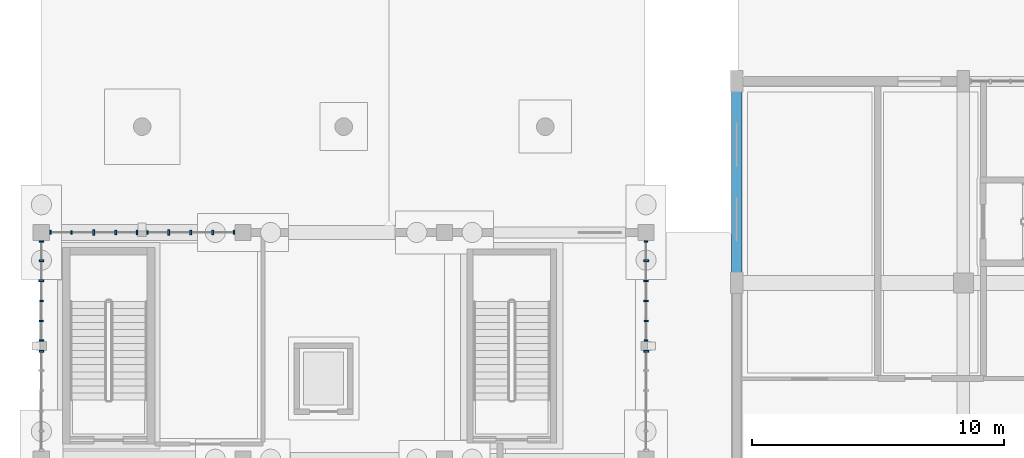
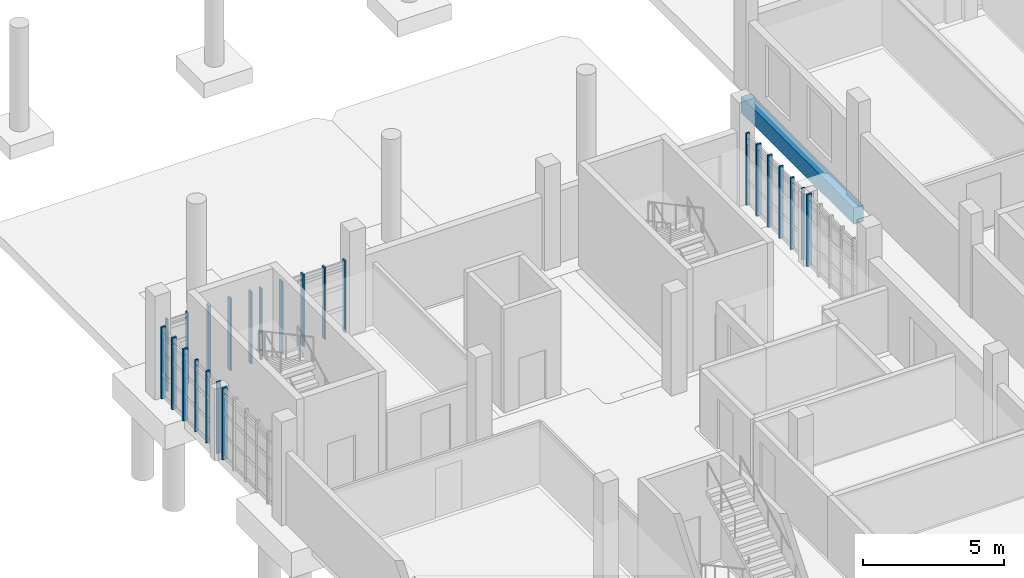
# One storey, part 16 of 63: 24 members, 1 beam, 6 elements without a shape of their own.
"""IFC4 building model written with IfcOpenShell, lengths in metres."""

from ifc_helpers import new_model, si_unit, direction, frame, origin, origin_2d, place, context, subcontext, project, spatial, rectangle, extrude, material, material_profile, profile_set, type_object, element, aggregate, save


model = new_model("IFC4")

# Units and contexts
model_context = context("Model", 3, precision=1e-05, world=origin(), true_north=direction((0.0, 1.0)))
body_context = subcontext(model_context, "Body", "Model", "MODEL_VIEW")
ifc_project = project(units=[si_unit("LENGTHUNIT", "METRE"), si_unit("AREAUNIT", "SQUARE_METRE"), si_unit("VOLUMEUNIT", "CUBIC_METRE"), si_unit("PLANEANGLEUNIT", "RADIAN"), si_unit("MASSUNIT", "GRAM", prefix="KILO")], contexts=[model_context])

# Site, building, storey
site_placement = place(None, origin())
site = spatial("IfcSite", under=ifc_project, at=site_placement, CompositionType="ELEMENT")
building_placement = place(site_placement, origin())
building = spatial("IfcBuilding", under=site, at=building_placement, Name="Serraforn Aerial Cableway Station", CompositionType="ELEMENT")
storey_placement = place(building_placement, origin())
storey = spatial("IfcBuildingStorey", under=building, at=storey_placement, Name="L00", CompositionType="ELEMENT", Elevation=0.0)

# Beam
ifc_material_1 = material(Name="Concrete C35/45", Category="concrete")
ifc_material_profile_1 = material_profile(ifc_material_1, rectangle(XDim=0.39990234375, YDim=0.699951171875, at=origin_2d()), Name="RC 400x700")
ifc_profile_set_1 = profile_set([ifc_material_profile_1], Name="Concrete C35/45")
beam_type = type_object("IfcBeamType", Name="BM-RC-400x700E", PredefinedType="SPANDREL", material=ifc_profile_set_1)
beam_placement = place(storey_placement, frame((27.60009765625, 34.0, -0.7099609375), z_axis=(0.0, 1.0, 0.0), x_axis=(-1.0, 0.0, 0.0)))
element("IfcBeam", 1, at=beam_placement, inside=storey, type_object=beam_type, Name="Grid Girder Y CV L00 X1-3", PredefinedType="SPANDREL", context=body_context, shape_type="SweptSolid", body=[
    extrude(rectangle(XDim=0.39990234375, YDim=0.699951171875, at=origin_2d()), origin(), (0.0, 0.0, 1.0), 8.0),
])

# Curtain wall, member
ifc_material_2 = material(Name="Anodised bronze unitised curtain wall")
curtain_wall_type_1 = type_object("IfcCurtainWallType", Name="CW-SYS-1", PredefinedType="USERDEFINED", material=ifc_material_2)
curtain_wall_1_placement = place(storey_placement, origin())
curtain_wall_1 = element("IfcCurtainWall", 2, at=curtain_wall_1_placement, inside=storey, type_object=curtain_wall_type_1, Name="Unitised Curtain Wall CW-W-L00-N1A", ObjectType="UNITISED CURTAIN WALL", PredefinedType="USERDEFINED")
ifc_material_3 = material(Name="Anodised bronze extruded aluminium", Category="aluminium")
ifc_material_profile_2 = material_profile(ifc_material_3, rectangle(XDim=0.054931640625, YDim=0.139892578125, at=origin_2d()), Name="CW MULLION 55x140")
ifc_profile_set_2 = profile_set([ifc_material_profile_2], Name="Anodised bronze extruded aluminium")
member_type_1 = type_object("IfcMemberType", Name="CW-MUL-1", PredefinedType="MULLION", material=ifc_profile_set_2)
member_1_placement = place(storey_placement, frame((4.20751953125, 36.0, 0.0), z_axis=(0.0, 0.0, 1.0), x_axis=(-1.0, 0.0, 0.0)))
member_1 = element("IfcMember", 3, at=member_1_placement, type_object=member_type_1, Name="Curtain Wall Mullion CW-W-L00-N1A-M5", PredefinedType="MULLION", context=body_context, shape_type="SweptSolid", body=[
    extrude(rectangle(XDim=0.054931640625, YDim=0.139892578125, at=origin_2d()), origin(), (0.0, 0.0, 1.0), 3.1201171875),
])

curtain_wall_type_2 = type_object("IfcCurtainWallType", Name="CW-SYS-2", PredefinedType="USERDEFINED", material=ifc_material_2)
curtain_wall_2_placement = place(storey_placement, origin())
curtain_wall_2 = element("IfcCurtainWall", 4, at=curtain_wall_2_placement, inside=storey, type_object=curtain_wall_type_2, Name="Unitised Curtain Wall CW-W-L00-N1B", ObjectType="UNITISED CURTAIN WALL", PredefinedType="USERDEFINED")
member_2_placement = place(storey_placement, frame((1.197265625, 36.0, 0.0), z_axis=(0.0, 0.0, 1.0), x_axis=(-1.0, 0.0, 0.0)))
member_2 = element("IfcMember", 5, at=member_2_placement, type_object=member_type_1, Name="Curtain Wall Mullion CW-W-L00-N1B-M4", PredefinedType="MULLION", context=body_context, shape_type="SweptSolid", body=[
    extrude(rectangle(XDim=0.054931640625, YDim=0.139892578125, at=origin_2d()), origin(), (0.0, 0.0, 1.0), 3.1201171875),
])

curtain_wall_type_3 = type_object("IfcCurtainWallType", Name="CW-SYS-7", PredefinedType="USERDEFINED", material=ifc_material_2)
curtain_wall_3_placement = place(storey_placement, origin())
curtain_wall_3 = element("IfcCurtainWall", 6, at=curtain_wall_3_placement, inside=storey, type_object=curtain_wall_type_3, Name="Unitised Curtain Wall CW-W-L00-W4A", ObjectType="UNITISED CURTAIN WALL", PredefinedType="USERDEFINED")
member_3_placement = place(storey_placement, frame((0.0, 33.27880859375, 0.0), z_axis=(0.0, 0.0, 1.0), x_axis=(0.0, -1.0, 0.0)))
member_3 = element("IfcMember", 7, at=member_3_placement, type_object=member_type_1, Name="Curtain Wall Mullion CW-W-L00-W4A-M4", PredefinedType="MULLION", context=body_context, shape_type="SweptSolid", body=[
    extrude(rectangle(XDim=0.054931640625, YDim=0.139892578125, at=origin_2d()), origin(), (0.0, 0.0, 1.0), 3.1201171875),
])

# Curtain wall, members
curtain_wall_type_4 = type_object("IfcCurtainWallType", Name="CW-SYS-10", PredefinedType="USERDEFINED", material=ifc_material_2)
curtain_wall_4_placement = place(storey_placement, origin())
curtain_wall_4 = element("IfcCurtainWall", 8, at=curtain_wall_4_placement, inside=storey, type_object=curtain_wall_type_4, Name="Unitised Curtain Wall CW-W-L00-E4B", ObjectType="UNITISED CURTAIN WALL", PredefinedType="USERDEFINED")
member_4_placement = place(storey_placement, frame((24.0, 31.70751953125, 0.0), z_axis=(0.0, 0.0, 1.0), x_axis=(0.0, 1.0, 0.0)))
member_4 = element("IfcMember", 9, at=member_4_placement, type_object=member_type_1, Name="Curtain Wall Mullion CW-W-L00-E4B-M1", PredefinedType="MULLION", context=body_context, shape_type="SweptSolid", body=[
    extrude(rectangle(XDim=0.054931640625, YDim=0.139892578125, at=origin_2d()), origin(), (0.0, 0.0, 1.0), 3.1201171875),
])
member_5_placement = place(storey_placement, frame((24.0, 35.6494140625, 0.0), z_axis=(0.0, 0.0, 1.0), x_axis=(0.0, 1.0, 0.0)))
member_5 = element("IfcMember", 10, at=member_5_placement, type_object=member_type_1, Name="Curtain Wall Mullion CW-W-L00-E4B-M6", PredefinedType="MULLION", context=body_context, shape_type="SweptSolid", body=[
    extrude(rectangle(XDim=0.054931640625, YDim=0.139892578125, at=origin_2d()), origin(), (0.0, 0.0, 1.0), 3.1201171875),
])

# Member
ifc_material_profile_3 = material_profile(ifc_material_3, rectangle(XDim=0.06005859375, YDim=0.159912109375, at=origin_2d()), Name="CW MULLION 60x160")
ifc_profile_set_3 = profile_set([ifc_material_profile_3], Name="Anodised bronze extruded aluminium")
member_type_2 = type_object("IfcMemberType", Name="CW-MUL-2", PredefinedType="MULLION", material=ifc_profile_set_3)
member_6_placement = place(storey_placement, frame((7.64697265625, 36.0, 0.0), z_axis=(0.0, 0.0, 1.0), x_axis=(-1.0, 0.0, 0.0)))
member_6 = element("IfcMember", 11, at=member_6_placement, type_object=member_type_2, Name="Curtain Wall Mullion CW-W-L00-N1A-M1", PredefinedType="MULLION", context=body_context, shape_type="SweptSolid", body=[
    extrude(rectangle(XDim=0.06005859375, YDim=0.159912109375, at=origin_2d()), origin(), (0.0, 0.0, 1.0), 3.1201171875),
])

member_7_placement = place(storey_placement, frame((0.35302734375, 36.0, 0.0), z_axis=(0.0, 0.0, 1.0), x_axis=(-1.0, 0.0, 0.0)))
member_7 = element("IfcMember", 12, at=member_7_placement, type_object=member_type_2, Name="Curtain Wall Mullion CW-W-L00-N1B-M5", PredefinedType="MULLION", context=body_context, shape_type="SweptSolid", body=[
    extrude(rectangle(XDim=0.06005859375, YDim=0.159912109375, at=origin_2d()), origin(), (0.0, 0.0, 1.0), 3.1201171875),
])

member_8_placement = place(storey_placement, frame((0.0, 32.4794921875, 0.0), z_axis=(0.0, 0.0, 1.0), x_axis=(0.0, -1.0, 0.0)))
member_8 = element("IfcMember", 13, at=member_8_placement, type_object=member_type_2, Name="Curtain Wall Mullion CW-W-L00-W4A-M5", PredefinedType="MULLION", context=body_context, shape_type="SweptSolid", body=[
    extrude(rectangle(XDim=0.06005859375, YDim=0.159912109375, at=origin_2d()), origin(), (0.0, 0.0, 1.0), 3.1201171875),
])

member_9_placement = place(storey_placement, frame((24.0, 32.4794921875, 0.0), z_axis=(0.0, 0.0, 1.0), x_axis=(0.0, 1.0, 0.0)))
member_9 = element("IfcMember", 14, at=member_9_placement, type_object=member_type_2, Name="Curtain Wall Mullion CW-W-L00-E4B-M2", PredefinedType="MULLION", context=body_context, shape_type="SweptSolid", body=[
    extrude(rectangle(XDim=0.06005859375, YDim=0.159912109375, at=origin_2d()), origin(), (0.0, 0.0, 1.0), 3.1201171875),
])

ifc_material_profile_4 = material_profile(ifc_material_3, rectangle(XDim=0.06494140625, YDim=0.175048828125, at=origin_2d()), Name="CW MULLION 65x175")
ifc_profile_set_4 = profile_set([ifc_material_profile_4], Name="Anodised bronze extruded aluminium")
member_type_3 = type_object("IfcMemberType", Name="CW-MUL-3", PredefinedType="MULLION", material=ifc_profile_set_4)
member_10_placement = place(storey_placement, frame((6.802734375, 36.0, 0.0), z_axis=(0.0, 0.0, 1.0), x_axis=(-1.0, 0.0, 0.0)))
member_10 = element("IfcMember", 15, at=member_10_placement, type_object=member_type_3, Name="Curtain Wall Mullion CW-W-L00-N1A-M2", PredefinedType="MULLION", context=body_context, shape_type="SweptSolid", body=[
    extrude(rectangle(XDim=0.06494140625, YDim=0.175048828125, at=origin_2d()), origin(), (0.0, 0.0, 1.0), 3.1201171875),
])

member_11_placement = place(storey_placement, frame((3.78759765625, 36.0, 0.0), z_axis=(0.0, 0.0, 1.0), x_axis=(-1.0, 0.0, 0.0)))
member_11 = element("IfcMember", 16, at=member_11_placement, type_object=member_type_3, Name="Curtain Wall Mullion CW-W-L00-N1B-M1", PredefinedType="MULLION", context=body_context, shape_type="SweptSolid", body=[
    extrude(rectangle(XDim=0.06494140625, YDim=0.175048828125, at=origin_2d()), origin(), (0.0, 0.0, 1.0), 3.1201171875),
])

member_12_placement = place(storey_placement, frame((0.0, 35.64453125, 0.0), z_axis=(0.0, 0.0, 1.0), x_axis=(0.0, -1.0, 0.0)))
member_12 = element("IfcMember", 17, at=member_12_placement, type_object=member_type_3, Name="Curtain Wall Mullion CW-W-L00-W4A-M1", PredefinedType="MULLION", context=body_context, shape_type="SweptSolid", body=[
    extrude(rectangle(XDim=0.06494140625, YDim=0.175048828125, at=origin_2d()), origin(), (0.0, 0.0, 1.0), 3.1201171875),
])

member_13_placement = place(storey_placement, frame((0.0, 31.71240234375, 0.0), z_axis=(0.0, 0.0, 1.0), x_axis=(0.0, -1.0, 0.0)))
member_13 = element("IfcMember", 18, at=member_13_placement, type_object=member_type_3, Name="Curtain Wall Mullion CW-W-L00-W4A-M6", PredefinedType="MULLION", context=body_context, shape_type="SweptSolid", body=[
    extrude(rectangle(XDim=0.06494140625, YDim=0.175048828125, at=origin_2d()), origin(), (0.0, 0.0, 1.0), 3.1201171875),
])

member_14_placement = place(storey_placement, frame((24.0, 33.27880859375, 0.0), z_axis=(0.0, 0.0, 1.0), x_axis=(0.0, 1.0, 0.0)))
member_14 = element("IfcMember", 19, at=member_14_placement, type_object=member_type_3, Name="Curtain Wall Mullion CW-W-L00-E4B-M3", PredefinedType="MULLION", context=body_context, shape_type="SweptSolid", body=[
    extrude(rectangle(XDim=0.06494140625, YDim=0.175048828125, at=origin_2d()), origin(), (0.0, 0.0, 1.0), 3.1201171875),
])

ifc_material_profile_5 = material_profile(ifc_material_3, rectangle(XDim=0.070068359375, YDim=0.18994140625, at=origin_2d()), Name="CW MULLION 70x190")
ifc_profile_set_5 = profile_set([ifc_material_profile_5], Name="Anodised bronze extruded aluminium")
member_type_4 = type_object("IfcMemberType", Name="CW-MUL-4", PredefinedType="MULLION", material=ifc_profile_set_5)
member_15_placement = place(storey_placement, frame((5.928466796875, 36.0, 0.0), z_axis=(0.0, 0.0, 1.0), x_axis=(-1.0, 0.0, 0.0)))
member_15 = element("IfcMember", 20, at=member_15_placement, type_object=member_type_4, Name="Curtain Wall Mullion CW-W-L00-N1A-M3", PredefinedType="MULLION", context=body_context, shape_type="SweptSolid", body=[
    extrude(rectangle(XDim=0.070068359375, YDim=0.18994140625, at=origin_2d()), origin(), (0.0, 0.0, 1.0), 3.1201171875),
])

member_16_placement = place(storey_placement, frame((2.94580078125, 36.0, 0.0), z_axis=(0.0, 0.0, 1.0), x_axis=(-1.0, 0.0, 0.0)))
member_16 = element("IfcMember", 21, at=member_16_placement, type_object=member_type_4, Name="Curtain Wall Mullion CW-W-L00-N1B-M2", PredefinedType="MULLION", context=body_context, shape_type="SweptSolid", body=[
    extrude(rectangle(XDim=0.070068359375, YDim=0.18994140625, at=origin_2d()), origin(), (0.0, 0.0, 1.0), 3.1201171875),
])

member_17_placement = place(storey_placement, frame((0.0, 34.877685546875, 0.0), z_axis=(0.0, 0.0, 1.0), x_axis=(0.0, -1.0, 0.0)))
member_17 = element("IfcMember", 22, at=member_17_placement, type_object=member_type_4, Name="Curtain Wall Mullion CW-W-L00-W4A-M2", PredefinedType="MULLION", context=body_context, shape_type="SweptSolid", body=[
    extrude(rectangle(XDim=0.070068359375, YDim=0.18994140625, at=origin_2d()), origin(), (0.0, 0.0, 1.0), 3.1201171875),
])

# Curtain wall, member
curtain_wall_type_5 = type_object("IfcCurtainWallType", Name="CW-SYS-8", PredefinedType="USERDEFINED", material=ifc_material_2)
curtain_wall_5_placement = place(storey_placement, origin())
curtain_wall_5 = element("IfcCurtainWall", 23, at=curtain_wall_5_placement, inside=storey, type_object=curtain_wall_type_5, Name="Unitised Curtain Wall CW-W-L00-W4B", ObjectType="UNITISED CURTAIN WALL", PredefinedType="USERDEFINED")
member_18_placement = place(storey_placement, frame((0.0, 31.284912109375, 0.0), z_axis=(0.0, 0.0, 1.0), x_axis=(0.0, -1.0, 0.0)))
member_18 = element("IfcMember", 24, at=member_18_placement, type_object=member_type_4, Name="Curtain Wall Mullion CW-W-L00-W4B-M1", PredefinedType="MULLION", context=body_context, shape_type="SweptSolid", body=[
    extrude(rectangle(XDim=0.070068359375, YDim=0.18994140625, at=origin_2d()), origin(), (0.0, 0.0, 1.0), 3.1201171875),
])
aggregate(curtain_wall_5, [member_18])

# Member
member_19_placement = place(storey_placement, frame((24.0, 34.078125, 0.0), z_axis=(0.0, 0.0, 1.0), x_axis=(0.0, 1.0, 0.0)))
member_19 = element("IfcMember", 25, at=member_19_placement, type_object=member_type_4, Name="Curtain Wall Mullion CW-W-L00-E4B-M4", PredefinedType="MULLION", context=body_context, shape_type="SweptSolid", body=[
    extrude(rectangle(XDim=0.070068359375, YDim=0.18994140625, at=origin_2d()), origin(), (0.0, 0.0, 1.0), 3.1201171875),
])

ifc_material_profile_6 = material_profile(ifc_material_3, rectangle(XDim=0.074951171875, YDim=0.199951171875, at=origin_2d()), Name="CW MULLION 75x200")
ifc_profile_set_6 = profile_set([ifc_material_profile_6], Name="Anodised bronze extruded aluminium")
member_type_5 = type_object("IfcMemberType", Name="CW-MUL-5", PredefinedType="MULLION", material=ifc_profile_set_6)
member_20_placement = place(storey_placement, frame((5.05419921875, 36.0, 0.0), z_axis=(0.0, 0.0, 1.0), x_axis=(-1.0, 0.0, 0.0)))
member_20 = element("IfcMember", 26, at=member_20_placement, type_object=member_type_5, Name="Curtain Wall Mullion CW-W-L00-N1A-M4", PredefinedType="MULLION", context=body_context, shape_type="SweptSolid", body=[
    extrude(rectangle(XDim=0.074951171875, YDim=0.199951171875, at=origin_2d()), origin(), (0.0, 0.0, 1.0), 3.1201171875),
])

aggregate(curtain_wall_1, [member_6, member_10, member_15, member_20, member_1])

member_21_placement = place(storey_placement, frame((2.071533203125, 36.0, 0.0), z_axis=(0.0, 0.0, 1.0), x_axis=(-1.0, 0.0, 0.0)))
member_21 = element("IfcMember", 27, at=member_21_placement, type_object=member_type_5, Name="Curtain Wall Mullion CW-W-L00-N1B-M3", PredefinedType="MULLION", context=body_context, shape_type="SweptSolid", body=[
    extrude(rectangle(XDim=0.074951171875, YDim=0.199951171875, at=origin_2d()), origin(), (0.0, 0.0, 1.0), 3.1201171875),
])

aggregate(curtain_wall_2, [member_11, member_16, member_21, member_2, member_7])

member_22_placement = place(storey_placement, frame((0.0, 34.078125, 0.0), z_axis=(0.0, 0.0, 1.0), x_axis=(0.0, -1.0, 0.0)))
member_22 = element("IfcMember", 28, at=member_22_placement, type_object=member_type_5, Name="Curtain Wall Mullion CW-W-L00-W4A-M3", PredefinedType="MULLION", context=body_context, shape_type="SweptSolid", body=[
    extrude(rectangle(XDim=0.074951171875, YDim=0.199951171875, at=origin_2d()), origin(), (0.0, 0.0, 1.0), 3.1201171875),
])

aggregate(curtain_wall_3, [member_12, member_17, member_22, member_3, member_8, member_13])

# Curtain wall, member
curtain_wall_type_6 = type_object("IfcCurtainWallType", Name="CW-SYS-9", PredefinedType="USERDEFINED", material=ifc_material_2)
curtain_wall_6_placement = place(storey_placement, origin())
curtain_wall_6 = element("IfcCurtainWall", 29, at=curtain_wall_6_placement, inside=storey, type_object=curtain_wall_type_6, Name="Unitised Curtain Wall CW-W-L00-E4A", ObjectType="UNITISED CURTAIN WALL", PredefinedType="USERDEFINED")
member_23_placement = place(storey_placement, frame((24.0, 31.282470703125, 0.0), z_axis=(0.0, 0.0, 1.0), x_axis=(0.0, 1.0, 0.0)))
member_23 = element("IfcMember", 30, at=member_23_placement, type_object=member_type_5, Name="Curtain Wall Mullion CW-W-L00-E4A-M6", PredefinedType="MULLION", context=body_context, shape_type="SweptSolid", body=[
    extrude(rectangle(XDim=0.074951171875, YDim=0.199951171875, at=origin_2d()), origin(), (0.0, 0.0, 1.0), 3.1201171875),
])
aggregate(curtain_wall_6, [member_23])

# Member
member_24_placement = place(storey_placement, frame((24.0, 34.877685546875, 0.0), z_axis=(0.0, 0.0, 1.0), x_axis=(0.0, 1.0, 0.0)))
member_24 = element("IfcMember", 31, at=member_24_placement, type_object=member_type_5, Name="Curtain Wall Mullion CW-W-L00-E4B-M5", PredefinedType="MULLION", context=body_context, shape_type="SweptSolid", body=[
    extrude(rectangle(XDim=0.074951171875, YDim=0.199951171875, at=origin_2d()), origin(), (0.0, 0.0, 1.0), 3.1201171875),
])

aggregate(curtain_wall_4, [member_4, member_9, member_14, member_19, member_24, member_5])

save(model, "model.ifc")
